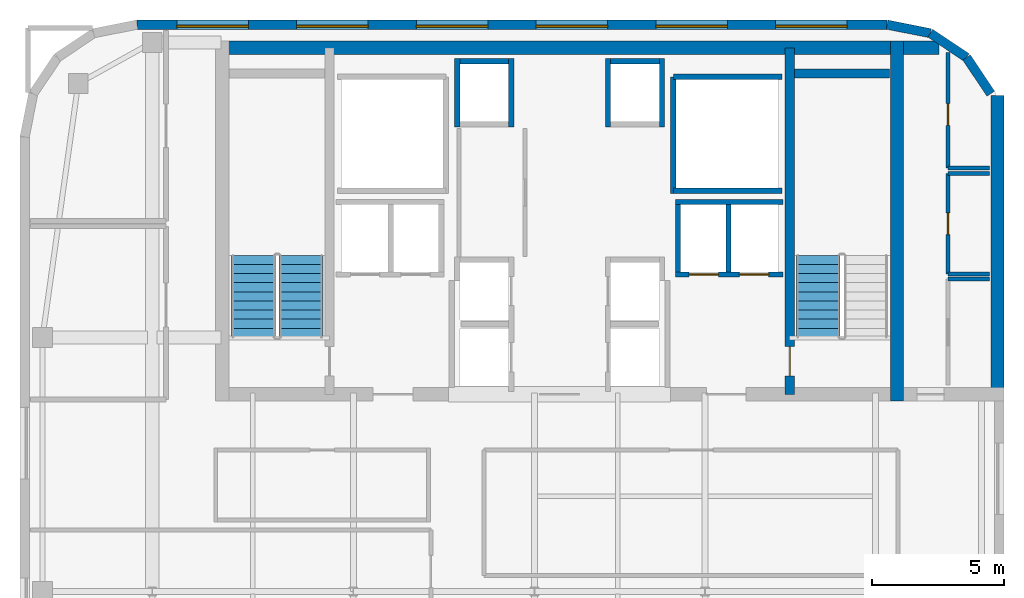
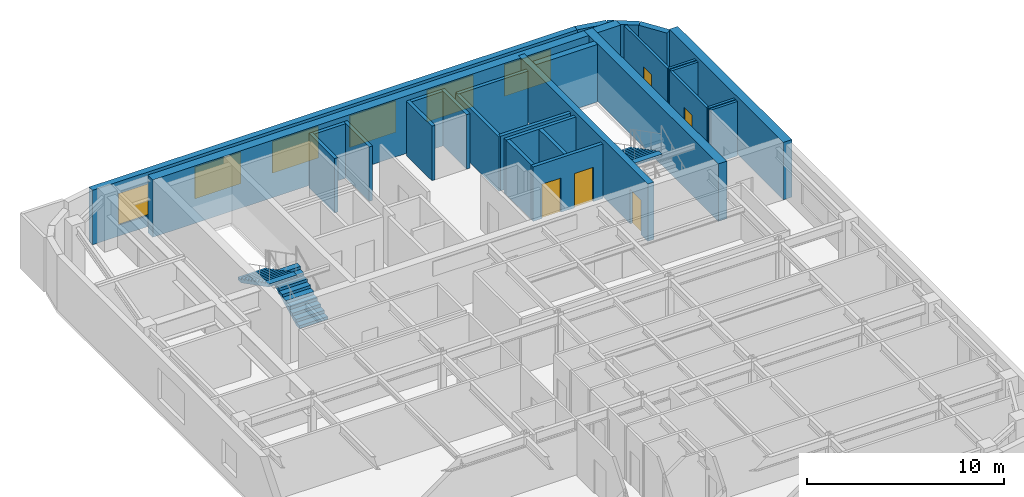
# One storey, part 7 of 9: 29 walls, 6 windows, 5 doors, 3 stair flights, 11 openings, 2 elements without a shape of their own.
"""IFC4 building model written with IfcOpenShell, lengths in metres."""

from ifc_helpers import new_model, si_unit, direction, frame, frame_2d, origin, place, context, subcontext, project, spatial, polyline, rectangle, outline, extrude, source, transform, mapped, material, layer, layer_set, type_object, type_shapes, element, fill, aggregate, save


model = new_model("IFC4")

# Units and contexts
model_context = context("Model", 3, precision=1e-05, world=origin(), true_north=direction((0.0, 1.0)))
body_context = subcontext(model_context, "Body", "Model", "MODEL_VIEW")
ifc_project = project(units=[si_unit("LENGTHUNIT", "METRE"), si_unit("AREAUNIT", "SQUARE_METRE"), si_unit("VOLUMEUNIT", "CUBIC_METRE"), si_unit("PLANEANGLEUNIT", "RADIAN"), si_unit("MASSUNIT", "GRAM", prefix="KILO")], contexts=[model_context])

# Site, building, storey
site_placement = place(None, origin())
site = spatial("IfcSite", under=ifc_project, at=site_placement, CompositionType="ELEMENT")
building_placement = place(site_placement, origin())
building = spatial("IfcBuilding", under=site, at=building_placement, Name="Tolvann Quenvar Hotel", CompositionType="ELEMENT")
storey_placement = place(building_placement, frame((0.0, 0.0, 209.699951171875)))
storey = spatial("IfcBuildingStorey", under=building, at=storey_placement, Name="L55", CompositionType="ELEMENT", Elevation=209.699951171875)

# Walls
ifc_material_1 = material(Name="Concrete N50 (50 MPa)", Category="concrete")
ifc_layer_1 = layer(ifc_material_1, 0.5)
ifc_layer_set_1 = layer_set([ifc_layer_1], Name="Concrete N50 (50 MPa)")
wall_type_1 = type_object("IfcWallType", Name="WALL_CORE_500", PredefinedType="SHEAR", material=ifc_layer_set_1)
wall_1_placement = place(storey_placement, frame((10.0, 44.949951171875, 0.0), z_axis=(0.0, 0.0, 1.0), x_axis=(1.0, 0.0, 0.0)))
element("IfcWall", 1, at=wall_1_placement, inside=storey, type_object=wall_type_1, Name="Rear Core N Shear Wall (L55)", PredefinedType="SHEAR", context=body_context, shape_type="SweptSolid", body=[
    extrude(rectangle(XDim=26.0, YDim=0.5, at=frame_2d((13.0, 0.0))), origin(), (0.0, 0.0, 1.0), 3.550048828125),
])
wall_2_placement = place(storey_placement, frame((35.75, 31.60009765625, 0.0), z_axis=(0.0, 0.0, 1.0), x_axis=(0.0, 1.0, 0.0)))
element("IfcWall", 2, at=wall_2_placement, inside=storey, type_object=wall_type_1, Name="Rear Core E Shear Wall (L55)", PredefinedType="SHEAR", context=body_context, shape_type="SweptSolid", body=[
    extrude(rectangle(XDim=13.599853515625, YDim=0.5, at=frame_2d((6.7998046875, 0.0))), origin(), (0.0, 0.0, 1.0), 3.550048828125),
])
wall_3_placement = place(storey_placement, frame((36.0, 44.949951171875, 0.0), z_axis=(0.0, 0.0, 1.0), x_axis=(1.0, 0.0, 0.0)))
element("IfcWall", 3, at=wall_3_placement, inside=storey, type_object=wall_type_1, Name="Core East Annex Shear Wall ANN-N (L55)", PredefinedType="SHEAR", context=body_context, shape_type="SweptSolid", body=[
    extrude(rectangle(XDim=1.35009765625, YDim=0.5, at=frame_2d((0.675048828125, 0.0))), origin(), (0.0, 0.0, 1.0), 3.550048828125),
])
wall_4_placement = place(storey_placement, frame((39.550048828125, 31.60009765625, 0.0), z_axis=(0.0, 0.0, 1.0), x_axis=(0.0, 1.0, 0.0)))
element("IfcWall", 4, at=wall_4_placement, inside=storey, type_object=wall_type_1, Name="Core East Annex Shear Wall ANN-E (L55)", PredefinedType="SHEAR", context=body_context, shape_type="SweptSolid", body=[
    extrude(rectangle(XDim=11.5498046875, YDim=0.5, at=frame_2d((5.77490234375, 0.0))), origin(), (0.0, 0.0, 1.0), 3.550048828125),
])

# Wall, opening, door
ifc_material_2 = material(Name="Concrete S65 (65 MPa)", Category="concrete")
ifc_layer_2 = layer(ifc_material_2, 0.35009765625)
ifc_layer_set_2 = layer_set([ifc_layer_2], Name="Concrete S65 (65 MPa)")
wall_type_2 = type_object("IfcWallType", Name="WALL_CORE_INT_350", PredefinedType="SHEAR", material=ifc_layer_set_2)
wall_5_placement = place(storey_placement, frame((31.699951171875, 31.85009765625, 0.0), z_axis=(0.0, 0.0, 1.0), x_axis=(0.0, 1.0, 0.0)))
wall_5 = element("IfcWall", 5, at=wall_5_placement, inside=storey, type_object=wall_type_2, Name="Core Internal Web Shear Wall WEB-E (L55)", PredefinedType="SHEAR", context=body_context, shape_type="SweptSolid", body=[
    extrude(rectangle(XDim=13.099853515625, YDim=0.35009765625, at=frame_2d((6.5498046875, 0.0))), origin(), (0.0, 0.0, 1.0), 3.550048828125),
])
opening_1_placement = place(wall_5_placement, frame((1.800048828125, 0.0, 0.0), z_axis=(0.0, 0.0, 1.0), x_axis=(-1.0, 0.0, 0.0)))
opening_1 = element("IfcOpeningElement", 6, at=opening_1_placement, cuts=wall_5, Name="Opening FD-120", PredefinedType="OPENING", context=body_context, shape_type="SweptSolid", body=[
    extrude(rectangle(XDim=1.10009765625, YDim=2.1201171875, at=frame_2d((0.550048828125, 1.06005859375))), frame((0.0, 0.18505859375, 0.0), z_axis=(0.0, -1.0, 0.0), x_axis=(1.0, 0.0, 0.0)), (0.0, 0.0, 1.0), 0.3701171875),
])
ifc_material_3 = material(Name="Pressed galvanised steel fire-rated door set", Category="steel")
door_type_1 = type_object("IfcDoorType", Name="DOOR_FIRE_STAIR_1100", OperationType="NOTDEFINED", PredefinedType="DOOR", material=ifc_material_3)
shared_shape_1 = source(origin(), body_context, "Body", "SweptSolid", [
    extrude(rectangle(XDim=1.10009765625, YDim=2.1201171875, at=frame_2d((0.550048828125, 1.06005859375))), frame((0.0, 0.02490234375, 0.0), z_axis=(0.0, -1.0, 0.0), x_axis=(1.0, 0.0, 0.0)), (0.0, 0.0, 1.0), 0.050048828125),
])
type_shapes(door_type_1, [shared_shape_1])
door_1_placement = place(opening_1_placement, origin())
door_1 = element("IfcDoor", 7, at=door_1_placement, inside=storey, type_object=door_type_1, Name="Exit Stair ST-C2 Fire Door (L55)", OperationType="SINGLE_SWING_LEFT", OverallHeight=2.1201171875, OverallWidth=1.10009765625, PredefinedType="DOOR", context=body_context, shape_type="MappedRepresentation", body=[
    mapped(shared_shape_1, transform((0.0, 0.0, 0.0), x_axis=(1.0, 0.0, 0.0), y_axis=(0.0, 1.0, 0.0), z_axis=(0.0, 0.0, 1.0), scale=1.0)),
])
fill(opening_1, door_1)

# Walls
wall_6_placement = place(storey_placement, frame((31.8798828125, 43.97509765625, 0.0), z_axis=(0.0, 0.0, 1.0), x_axis=(1.0, 0.0, 0.0)))
element("IfcWall", 8, at=wall_6_placement, inside=storey, type_object=wall_type_2, Name="Core Stair North Closing Shear Wall STC2-N (L55)", PredefinedType="SHEAR", context=body_context, shape_type="SweptSolid", body=[
    extrude(rectangle(XDim=3.60009765625, YDim=0.35009765625, at=frame_2d((1.800048828125, 0.0))), origin(), (0.0, 0.0, 1.0), 3.550048828125),
])
ifc_material_4 = material(Name="Kiln-fired red and buff architectural clay brickwork and terracotta masonry", Category="masonry")
ifc_layer_3 = layer(ifc_material_4, 0.35009765625)
ifc_layer_set_3 = layer_set([ifc_layer_3], Name="Kiln-fired red and buff architectural clay brickwork and terracotta masonry")
wall_type_3 = type_object("IfcWallType", Name="WALL_EXT_BRICK_350", PredefinedType="SOLIDWALL", material=ifc_layer_set_3)
for number, where, z_axis, x_axis, name in (
    (9, (39.30029296875, 43.215576171875, 0.0), (0.0, 0.0, 1.0), (-0.555623290322, 0.831434158098, 0.0), "Exterior Chicago Brick Wall L55-E11"),
    (10, (38.385009765625, 44.585205078125, 0.0), (0.0, 0.0, 1.0), (-0.831502623162, 0.555520825599, 0.0), "Exterior Chicago Brick Wall L55-E12"),
):
    element("IfcWall", number, at=place(storey_placement, frame(where, z_axis=z_axis, x_axis=x_axis)), inside=storey, type_object=wall_type_3, Name=name, PredefinedType="SOLIDWALL", context=body_context, shape_type="SweptSolid", body=[
        extrude(rectangle(XDim=1.647216796875, YDim=0.35009765625, at=frame_2d((0.82373046875, 0.0))), origin(), (0.0, 0.0, 1.0), 3.3701171875),
    ])
wall_7_placement = place(storey_placement, frame((37.015380859375, 45.500244140625, 0.0), z_axis=(0.0, 0.0, 1.0), x_axis=(-0.980788844421, 0.195072403631, 0.0)))
element("IfcWall", 11, at=wall_7_placement, inside=storey, type_object=wall_type_3, Name="Exterior Chicago Brick Wall L55-E13", PredefinedType="SOLIDWALL", context=body_context, shape_type="SweptSolid", body=[
    extrude(rectangle(XDim=1.66455078125, YDim=0.35009765625, at=frame_2d((0.832275390625, 0.0))), origin(), (0.0, 0.0, 1.0), 3.3701171875),
])

# Wall, openings, windows
wall_8_placement = place(storey_placement, frame((35.3828125, 45.824951171875, 0.0), z_axis=(0.0, 0.0, 1.0), x_axis=(-1.0, 0.0, 0.0)))
wall_8 = element("IfcWall", 12, at=wall_8_placement, inside=storey, type_object=wall_type_3, Name="Exterior Chicago Brick Wall L55-E14", PredefinedType="SOLIDWALL", context=body_context, shape_type="SweptSolid", body=[
    extrude(rectangle(XDim=28.36572265625, YDim=0.35009765625, at=frame_2d((14.182861328125, 0.0))), origin(), (0.0, 0.0, 1.0), 3.3701171875),
])
opening_2_placement = place(wall_8_placement, frame((1.513916015625, 0.0, 0.679931640625)))
opening_2 = element("IfcOpeningElement", 13, at=opening_2_placement, cuts=wall_8, Name="Opening W-04", PredefinedType="OPENING", context=body_context, shape_type="SweptSolid", body=[
    extrude(rectangle(XDim=2.699951171875, YDim=1.949951171875, at=frame_2d((1.35009765625, 0.97509765625))), frame((0.0, 0.18505859375, 0.0), z_axis=(0.0, -1.0, 0.0), x_axis=(1.0, 0.0, 0.0)), (0.0, 0.0, 1.0), 0.3701171875),
])
opening_3_placement = place(wall_8_placement, frame((6.041015625, 0.0, 0.679931640625)))
opening_3 = element("IfcOpeningElement", 14, at=opening_3_placement, cuts=wall_8, Name="Opening W-04", PredefinedType="OPENING", context=body_context, shape_type="SweptSolid", body=[
    extrude(rectangle(XDim=2.699951171875, YDim=1.949951171875, at=frame_2d((1.35009765625, 0.97509765625))), frame((0.0, 0.18505859375, 0.0), z_axis=(0.0, -1.0, 0.0), x_axis=(1.0, 0.0, 0.0)), (0.0, 0.0, 1.0), 0.3701171875),
])
opening_4_placement = place(wall_8_placement, frame((10.569091796875, 0.0, 0.679931640625)))
opening_4 = element("IfcOpeningElement", 15, at=opening_4_placement, cuts=wall_8, Name="Opening W-04", PredefinedType="OPENING", context=body_context, shape_type="SweptSolid", body=[
    extrude(rectangle(XDim=2.699951171875, YDim=1.949951171875, at=frame_2d((1.35009765625, 0.97509765625))), frame((0.0, 0.18505859375, 0.0), z_axis=(0.0, -1.0, 0.0), x_axis=(1.0, 0.0, 0.0)), (0.0, 0.0, 1.0), 0.3701171875),
])
opening_5_placement = place(wall_8_placement, frame((15.096923828125, 0.0, 0.679931640625)))
opening_5 = element("IfcOpeningElement", 16, at=opening_5_placement, cuts=wall_8, Name="Opening W-04", PredefinedType="OPENING", context=body_context, shape_type="SweptSolid", body=[
    extrude(rectangle(XDim=2.699951171875, YDim=1.949951171875, at=frame_2d((1.35009765625, 0.97509765625))), frame((0.0, 0.18505859375, 0.0), z_axis=(0.0, -1.0, 0.0), x_axis=(1.0, 0.0, 0.0)), (0.0, 0.0, 1.0), 0.3701171875),
])
opening_6_placement = place(wall_8_placement, frame((19.6240234375, 0.0, 0.679931640625)))
opening_6 = element("IfcOpeningElement", 17, at=opening_6_placement, cuts=wall_8, Name="Opening W-04", PredefinedType="OPENING", context=body_context, shape_type="SweptSolid", body=[
    extrude(rectangle(XDim=2.699951171875, YDim=1.949951171875, at=frame_2d((1.35009765625, 0.97509765625))), frame((0.0, 0.18505859375, 0.0), z_axis=(0.0, -1.0, 0.0), x_axis=(1.0, 0.0, 0.0)), (0.0, 0.0, 1.0), 0.3701171875),
])
opening_7_placement = place(wall_8_placement, frame((24.152099609375, 0.0, 0.679931640625)))
opening_7 = element("IfcOpeningElement", 18, at=opening_7_placement, cuts=wall_8, Name="Opening W-04", PredefinedType="OPENING", context=body_context, shape_type="SweptSolid", body=[
    extrude(rectangle(XDim=2.699951171875, YDim=1.949951171875, at=frame_2d((1.35009765625, 0.97509765625))), frame((0.0, 0.18505859375, 0.0), z_axis=(0.0, -1.0, 0.0), x_axis=(1.0, 0.0, 0.0)), (0.0, 0.0, 1.0), 0.3701171875),
])
ifc_material_5 = material(Name="Thermally broken bronze-anodised aluminium frame with double low-E glazing", Category="aluminium")
window_type = type_object("IfcWindowType", Name="WIN_STE_2700x2150", PartitioningType="TRIPLE_PANEL_HORIZONTAL", PredefinedType="WINDOW", material=ifc_material_5)
shared_shape_2 = source(origin(), body_context, "Body", "SweptSolid", [
    extrude(rectangle(XDim=2.699951171875, YDim=1.949951171875, at=frame_2d((1.35009765625, 0.97509765625))), frame((0.0, 0.090087890625, 0.0), z_axis=(0.0, -1.0, 0.0), x_axis=(1.0, 0.0, 0.0)), (0.0, 0.0, 1.0), 0.06005859375),
])
type_shapes(window_type, [shared_shape_2])
window_1_placement = place(opening_2_placement, origin())
window_1 = element("IfcWindow", 19, at=window_1_placement, inside=storey, type_object=window_type, Name="Chicago Window W-04 (EW-L55-E14-W01)", OverallHeight=1.949951171875, OverallWidth=2.699951171875, PartitioningType="TRIPLE_PANEL_HORIZONTAL", PredefinedType="WINDOW", context=body_context, shape_type="MappedRepresentation", body=[
    mapped(shared_shape_2, transform((0.0, 0.0, 0.0), x_axis=(1.0, 0.0, 0.0), y_axis=(0.0, 1.0, 0.0), z_axis=(0.0, 0.0, 1.0), scale=1.0)),
])
fill(opening_2, window_1)
window_2_placement = place(opening_3_placement, origin())
window_2 = element("IfcWindow", 20, at=window_2_placement, inside=storey, type_object=window_type, Name="Chicago Window W-04 (EW-L55-E14-W02)", OverallHeight=1.949951171875, OverallWidth=2.699951171875, PartitioningType="TRIPLE_PANEL_HORIZONTAL", PredefinedType="WINDOW", context=body_context, shape_type="MappedRepresentation", body=[
    mapped(shared_shape_2, transform((0.0, 0.0, 0.0), x_axis=(1.0, 0.0, 0.0), y_axis=(0.0, 1.0, 0.0), z_axis=(0.0, 0.0, 1.0), scale=1.0)),
])
fill(opening_3, window_2)
window_3_placement = place(opening_4_placement, origin())
window_3 = element("IfcWindow", 21, at=window_3_placement, inside=storey, type_object=window_type, Name="Chicago Window W-04 (EW-L55-E14-W03)", OverallHeight=1.949951171875, OverallWidth=2.699951171875, PartitioningType="TRIPLE_PANEL_HORIZONTAL", PredefinedType="WINDOW", context=body_context, shape_type="MappedRepresentation", body=[
    mapped(shared_shape_2, transform((0.0, 0.0, 0.0), x_axis=(1.0, 0.0, 0.0), y_axis=(0.0, 1.0, 0.0), z_axis=(0.0, 0.0, 1.0), scale=1.0)),
])
fill(opening_4, window_3)
window_4_placement = place(opening_5_placement, origin())
window_4 = element("IfcWindow", 22, at=window_4_placement, inside=storey, type_object=window_type, Name="Chicago Window W-04 (EW-L55-E14-W04)", OverallHeight=1.949951171875, OverallWidth=2.699951171875, PartitioningType="TRIPLE_PANEL_HORIZONTAL", PredefinedType="WINDOW", context=body_context, shape_type="MappedRepresentation", body=[
    mapped(shared_shape_2, transform((0.0, 0.0, 0.0), x_axis=(1.0, 0.0, 0.0), y_axis=(0.0, 1.0, 0.0), z_axis=(0.0, 0.0, 1.0), scale=1.0)),
])
fill(opening_5, window_4)
window_5_placement = place(opening_6_placement, origin())
window_5 = element("IfcWindow", 23, at=window_5_placement, inside=storey, type_object=window_type, Name="Chicago Window W-04 (EW-L55-E14-W05)", OverallHeight=1.949951171875, OverallWidth=2.699951171875, PartitioningType="TRIPLE_PANEL_HORIZONTAL", PredefinedType="WINDOW", context=body_context, shape_type="MappedRepresentation", body=[
    mapped(shared_shape_2, transform((0.0, 0.0, 0.0), x_axis=(1.0, 0.0, 0.0), y_axis=(0.0, 1.0, 0.0), z_axis=(0.0, 0.0, 1.0), scale=1.0)),
])
fill(opening_6, window_5)
window_6_placement = place(opening_7_placement, origin())
window_6 = element("IfcWindow", 24, at=window_6_placement, inside=storey, type_object=window_type, Name="Chicago Window W-04 (EW-L55-E14-W06)", OverallHeight=1.949951171875, OverallWidth=2.699951171875, PartitioningType="TRIPLE_PANEL_HORIZONTAL", PredefinedType="WINDOW", context=body_context, shape_type="MappedRepresentation", body=[
    mapped(shared_shape_2, transform((0.0, 0.0, 0.0), x_axis=(1.0, 0.0, 0.0), y_axis=(0.0, 1.0, 0.0), z_axis=(0.0, 0.0, 1.0), scale=1.0)),
])
fill(opening_7, window_6)

# Walls
ifc_material_6 = material(Name="Acoustic twin-stud fire-rated gypsum plasterboard partition")
ifc_layer_4 = layer(ifc_material_6, 0.14990234375)
ifc_layer_set_4 = layer_set([ifc_layer_4], Name="Acoustic twin-stud fire-rated gypsum plasterboard partition")
wall_type_4 = type_object("IfcWallType", Name="WALL_PART_SUITE_150", PredefinedType="PARTITIONING", material=ifc_layer_set_4)
for number, where, z_axis, x_axis, name in (
    (25, (37.679931640625, 36.199951171875, 0.0), (0.0, 0.0, 1.0), (1.0, 0.0, 0.0), "Interior Partition PT-SPC-L55-RECPL-1-N"),
    (26, (37.679931640625, 36.39990234375, 0.0), (0.0, 0.0, 1.0), (1.0, 0.0, 0.0), "Interior Partition PT-SPC-L55-CSE-1-S"),
    (27, (37.679931640625, 40.199951171875, 0.0), (0.0, 0.0, 1.0), (1.0, 0.0, 0.0), "Interior Partition PT-SPC-L55-CSE-1-N"),
):
    element("IfcWall", number, at=place(storey_placement, frame(where, z_axis=z_axis, x_axis=x_axis)), inside=storey, type_object=wall_type_4, Name=name, PredefinedType="PARTITIONING", context=body_context, shape_type="SweptSolid", body=[
        extrude(rectangle(XDim=1.565185546875, YDim=0.14990234375, at=frame_2d((0.78271484375, 0.0))), origin(), (0.0, 0.0, 1.0), 3.3701171875),
    ])

# Wall, opening, door
wall_9_placement = place(storey_placement, frame((37.679931640625, 36.39990234375, 0.0), z_axis=(0.0, 0.0, 1.0), x_axis=(0.0, 1.0, 0.0)))
wall_9 = element("IfcWall", 28, at=wall_9_placement, inside=storey, type_object=wall_type_4, Name="Interior Partition PT-SPC-L55-CSE-1-W", PredefinedType="PARTITIONING", context=body_context, shape_type="SweptSolid", body=[
    extrude(rectangle(XDim=3.800048828125, YDim=0.14990234375, at=frame_2d((1.89990234375, 0.0))), origin(), (0.0, 0.0, 1.0), 3.3701171875),
])
opening_8_placement = place(wall_9_placement, frame((1.489990234375, 0.0, 0.0)))
opening_8 = element("IfcOpeningElement", 29, at=opening_8_placement, cuts=wall_9, Name="Opening HD-02", PredefinedType="OPENING", context=body_context, shape_type="SweptSolid", body=[
    extrude(rectangle(XDim=0.820068359375, YDim=2.010009765625, at=frame_2d((0.41015625, 1.0048828125))), frame((0.0, 0.0849609375, 0.0), z_axis=(0.0, -1.0, 0.0), x_axis=(1.0, 0.0, 0.0)), (0.0, 0.0, 1.0), 0.169921875),
])
door_type_2 = type_object("IfcDoorType", Name="DOOR_STORE_820", OperationType="NOTDEFINED", PredefinedType="DOOR", material=ifc_material_3)
shared_shape_3 = source(origin(), body_context, "Body", "SweptSolid", [
    extrude(rectangle(XDim=0.820068359375, YDim=2.010009765625, at=frame_2d((0.41015625, 1.0048828125))), frame((0.0, 0.02490234375, 0.0), z_axis=(0.0, -1.0, 0.0), x_axis=(1.0, 0.0, 0.0)), (0.0, 0.0, 1.0), 0.050048828125),
])
type_shapes(door_type_2, [shared_shape_3])
door_2_placement = place(opening_8_placement, origin())
door_2 = element("IfcDoor", 30, at=door_2_placement, inside=storey, type_object=door_type_2, Name="Interior Door DOOR-SPC-L55-CSE-1", OperationType="SINGLE_SWING_RIGHT", OverallHeight=2.010009765625, OverallWidth=0.820068359375, PredefinedType="DOOR", context=body_context, shape_type="MappedRepresentation", body=[
    mapped(shared_shape_3, transform((0.0, 0.0, 0.0), x_axis=(1.0, 0.0, 0.0), y_axis=(0.0, 1.0, 0.0), z_axis=(0.0, 0.0, 1.0), scale=1.0)),
])
fill(opening_8, door_2)

# Wall
wall_10_placement = place(storey_placement, frame((37.679931640625, 40.39990234375, 0.0), z_axis=(0.0, 0.0, 1.0), x_axis=(1.0, 0.0, 0.0)))
element("IfcWall", 31, at=wall_10_placement, inside=storey, type_object=wall_type_4, Name="Interior Partition PT-SPC-L55-CSE-2-S", PredefinedType="PARTITIONING", context=body_context, shape_type="SweptSolid", body=[
    extrude(rectangle(XDim=1.565185546875, YDim=0.14990234375, at=frame_2d((0.78271484375, 0.0))), origin(), (0.0, 0.0, 1.0), 3.3701171875),
])

# Wall, opening, door
wall_11_placement = place(storey_placement, frame((37.679931640625, 40.39990234375, 0.0), z_axis=(0.0, 0.0, 1.0), x_axis=(0.0, 1.0, 0.0)))
wall_11 = element("IfcWall", 32, at=wall_11_placement, inside=storey, type_object=wall_type_4, Name="Interior Partition PT-SPC-L55-CSE-2-W", PredefinedType="PARTITIONING", context=body_context, shape_type="SweptSolid", body=[
    extrude(rectangle(XDim=4.380126953125, YDim=0.14990234375, at=frame_2d((2.18994140625, 0.0))), origin(), (0.0, 0.0, 1.0), 3.3701171875),
])
opening_9_placement = place(wall_11_placement, frame((1.614990234375, 0.0, 0.0)))
opening_9 = element("IfcOpeningElement", 33, at=opening_9_placement, cuts=wall_11, Name="Opening HD-02", PredefinedType="OPENING", context=body_context, shape_type="SweptSolid", body=[
    extrude(rectangle(XDim=0.820068359375, YDim=2.010009765625, at=frame_2d((0.41015625, 1.0048828125))), frame((0.0, 0.0849609375, 0.0), z_axis=(0.0, -1.0, 0.0), x_axis=(1.0, 0.0, 0.0)), (0.0, 0.0, 1.0), 0.169921875),
])
door_3_placement = place(opening_9_placement, origin())
door_3 = element("IfcDoor", 34, at=door_3_placement, inside=storey, type_object=door_type_2, Name="Interior Door DOOR-SPC-L55-CSE-2", OperationType="SINGLE_SWING_LEFT", OverallHeight=2.010009765625, OverallWidth=0.820068359375, PredefinedType="DOOR", context=body_context, shape_type="MappedRepresentation", body=[
    mapped(shared_shape_3, transform((0.0, 0.0, 0.0), x_axis=(1.0, 0.0, 0.0), y_axis=(0.0, 1.0, 0.0), z_axis=(0.0, 0.0, 1.0), scale=1.0)),
])
fill(opening_9, door_3)

# Walls
ifc_material_7 = material(Name="Concrete N40 (40 MPa)", Category="concrete")
ifc_layer_5 = layer(ifc_material_7, 0.199951171875)
ifc_layer_set_5 = layer_set([ifc_layer_5], Name="Concrete N40 (40 MPa)")
wall_type_5 = type_object("IfcWallType", Name="WALL_SHAFT_200", PredefinedType="SOLIDWALL", material=ifc_layer_set_5)
wall_12_placement = place(storey_placement, frame((27.300048828125, 39.449951171875, 0.0), z_axis=(0.0, 0.0, 1.0), x_axis=(0.0, 1.0, 0.0)))
element("IfcWall", 35, at=wall_12_placement, inside=storey, type_object=wall_type_5, Name="Service Riser E Shaft Wall IN (L55)", PredefinedType="SOLIDWALL", context=body_context, shape_type="SweptSolid", body=[
    extrude(rectangle(XDim=4.400146484375, YDim=0.199951171875, at=frame_2d((2.2001953125, 0.0))), origin(), (0.0, 0.0, 1.0), 3.3701171875),
])
for number, where, z_axis, x_axis, name in (
    (36, (27.300048828125, 39.550048828125, 0.0), (0.0, 0.0, 1.0), (1.0, 0.0, 0.0), "Service Riser E Shaft Wall S (L55)"),
    (37, (27.300048828125, 43.85009765625, 0.0), (0.0, 0.0, 1.0), (1.0, 0.0, 0.0), "Service Riser E Shaft Wall N (L55)"),
):
    element("IfcWall", number, at=place(storey_placement, frame(where, z_axis=z_axis, x_axis=x_axis)), inside=storey, type_object=wall_type_5, Name=name, PredefinedType="SOLIDWALL", context=body_context, shape_type="SweptSolid", body=[
        extrude(rectangle(XDim=4.099853515625, YDim=0.199951171875, at=frame_2d((2.0498046875, 0.0))), origin(), (0.0, 0.0, 1.0), 3.3701171875),
    ])
for number, where, z_axis, x_axis, name in (
    (38, (21.169921875, 41.9599609375, 0.0), (0.0, 0.0, 1.0), (0.0, 1.0, 0.0), "Lift Bank E21.1C2 Hoistway Front Wall (L55)"),
    (39, (19.1298828125, 41.9599609375, 0.0), (0.0, 0.0, 1.0), (0.0, 1.0, 0.0), "Lift Bank E21.1C2 Hoistway Rear Wall (L55)"),
):
    element("IfcWall", number, at=place(storey_placement, frame(where, z_axis=z_axis, x_axis=x_axis)), inside=storey, type_object=wall_type_5, Name=name, PredefinedType="SOLIDWALL", context=body_context, shape_type="SweptSolid", body=[
        extrude(rectangle(XDim=2.580078125, YDim=0.199951171875, at=frame_2d((1.2900390625, 0.0))), origin(), (0.0, 0.0, 1.0), 3.3701171875),
    ])
wall_13_placement = place(storey_placement, frame((19.22998046875, 44.43994140625, 0.0), z_axis=(0.0, 0.0, 1.0), x_axis=(1.0, 0.0, 0.0)))
element("IfcWall", 40, at=wall_13_placement, inside=storey, type_object=wall_type_5, Name="Lift Bank E21.1C2 Hoistway Cheek Wall 2 (L55)", PredefinedType="SOLIDWALL", context=body_context, shape_type="SweptSolid", body=[
    extrude(rectangle(XDim=1.840087890625, YDim=0.199951171875, at=frame_2d((0.919921875, 0.0))), origin(), (0.0, 0.0, 1.0), 3.3701171875),
])

# Wall, openings, doors
wall_14_placement = place(storey_placement, frame((27.375, 36.3798828125, 0.0), z_axis=(0.0, 0.0, 1.0), x_axis=(1.0, 0.0, 0.0)))
wall_14 = element("IfcWall", 41, at=wall_14_placement, inside=storey, type_object=wall_type_5, Name="Lift Bank SEC1 Hoistway Front Wall (L55)", PredefinedType="SOLIDWALL", context=body_context, shape_type="SweptSolid", body=[
    extrude(rectangle(XDim=4.074951171875, YDim=0.199951171875, at=frame_2d((2.03759765625, 0.0))), origin(), (0.0, 0.0, 1.0), 3.3701171875),
])
opening_10_placement = place(wall_14_placement, frame((0.52490234375, 0.0, 0.0)))
opening_10 = element("IfcOpeningElement", 42, at=opening_10_placement, cuts=wall_14, Name="Opening LD-01", PredefinedType="OPENING", context=body_context, shape_type="SweptSolid", body=[
    extrude(rectangle(XDim=1.10009765625, YDim=2.1201171875, at=frame_2d((0.550048828125, 1.06005859375))), frame((0.0, 0.10986328125, 0.0), z_axis=(0.0, -1.0, 0.0), x_axis=(1.0, 0.0, 0.0)), (0.0, 0.0, 1.0), 0.219970703125),
])
opening_11_placement = place(wall_14_placement, frame((2.425048828125, 0.0, 0.0)))
opening_11 = element("IfcOpeningElement", 43, at=opening_11_placement, cuts=wall_14, Name="Opening LD-01", PredefinedType="OPENING", context=body_context, shape_type="SweptSolid", body=[
    extrude(rectangle(XDim=1.10009765625, YDim=2.1201171875, at=frame_2d((0.550048828125, 1.06005859375))), frame((0.0, 0.10986328125, 0.0), z_axis=(0.0, -1.0, 0.0), x_axis=(1.0, 0.0, 0.0)), (0.0, 0.0, 1.0), 0.219970703125),
])
ifc_material_8 = material(Name="Brushed 316 stainless steel automatic sliding lift landing door", Category="steel")
door_type_3 = type_object("IfcDoorType", Name="DOOR_LIFT_SLIDE_1100", OperationType="NOTDEFINED", PredefinedType="DOOR", material=ifc_material_8)
shared_shape_4 = source(origin(), body_context, "Body", "SweptSolid", [
    extrude(rectangle(XDim=1.10009765625, YDim=2.1201171875, at=frame_2d((0.550048828125, 1.06005859375))), frame((0.0, 0.02490234375, 0.0), z_axis=(0.0, -1.0, 0.0), x_axis=(1.0, 0.0, 0.0)), (0.0, 0.0, 1.0), 0.050048828125),
])
type_shapes(door_type_3, [shared_shape_4])
door_4_placement = place(opening_10_placement, origin())
door_4 = element("IfcDoor", 44, at=door_4_placement, inside=storey, type_object=door_type_3, Name="Lift SV-2 Sliding Landing Door (L55)", OperationType="SLIDING_TO_LEFT", OverallHeight=2.1201171875, OverallWidth=1.10009765625, PredefinedType="DOOR", context=body_context, shape_type="MappedRepresentation", body=[
    mapped(shared_shape_4, transform((0.0, 0.0, 0.0), x_axis=(1.0, 0.0, 0.0), y_axis=(0.0, 1.0, 0.0), z_axis=(0.0, 0.0, 1.0), scale=1.0)),
])
fill(opening_10, door_4)
door_5_placement = place(opening_11_placement, origin())
door_5 = element("IfcDoor", 45, at=door_5_placement, inside=storey, type_object=door_type_3, Name="Lift FF-2 Sliding Landing Door (L55)", OperationType="SLIDING_TO_RIGHT", OverallHeight=2.1201171875, OverallWidth=1.10009765625, PredefinedType="DOOR", context=body_context, shape_type="MappedRepresentation", body=[
    mapped(shared_shape_4, transform((0.0, 0.0, 0.0), x_axis=(1.0, 0.0, 0.0), y_axis=(0.0, 1.0, 0.0), z_axis=(0.0, 0.0, 1.0), scale=1.0)),
])
fill(opening_11, door_5)

# Walls
wall_15_placement = place(storey_placement, frame((27.375, 39.1201171875, 0.0), z_axis=(0.0, 0.0, 1.0), x_axis=(1.0, 0.0, 0.0)))
element("IfcWall", 46, at=wall_15_placement, inside=storey, type_object=wall_type_5, Name="Lift Bank SEC1 Hoistway Rear Wall (L55)", PredefinedType="SOLIDWALL", context=body_context, shape_type="SweptSolid", body=[
    extrude(rectangle(XDim=4.074951171875, YDim=0.199951171875, at=frame_2d((2.03759765625, 0.0))), origin(), (0.0, 0.0, 1.0), 3.3701171875),
])
for number, where, z_axis, x_axis, name in (
    (47, (27.47509765625, 36.47998046875, 0.0), (0.0, 0.0, 1.0), (0.0, 1.0, 0.0), "Lift Bank SEC1 Hoistway Cheek Wall 1 (L55)"),
    (48, (29.387451171875, 36.47998046875, 0.0), (0.0, 0.0, 1.0), (0.0, 1.0, 0.0), "Lift Bank SEC1 Divider Wall 1 (L55)"),
):
    element("IfcWall", number, at=place(storey_placement, frame(where, z_axis=z_axis, x_axis=x_axis)), inside=storey, type_object=wall_type_5, Name=name, PredefinedType="SOLIDWALL", context=body_context, shape_type="SweptSolid", body=[
        extrude(rectangle(XDim=2.5400390625, YDim=0.199951171875, at=frame_2d((1.27001953125, 0.0))), origin(), (0.0, 0.0, 1.0), 3.3701171875),
    ])
for number, where, z_axis, x_axis, name in (
    (49, (24.830078125, 41.9599609375, 0.0), (0.0, 0.0, 1.0), (0.0, 1.0, 0.0), "Lift Bank W24.9C2 Hoistway Front Wall (L55)"),
    (50, (26.8701171875, 41.9599609375, 0.0), (0.0, 0.0, 1.0), (0.0, 1.0, 0.0), "Lift Bank W24.9C2 Hoistway Rear Wall (L55)"),
):
    element("IfcWall", number, at=place(storey_placement, frame(where, z_axis=z_axis, x_axis=x_axis)), inside=storey, type_object=wall_type_5, Name=name, PredefinedType="SOLIDWALL", context=body_context, shape_type="SweptSolid", body=[
        extrude(rectangle(XDim=2.580078125, YDim=0.199951171875, at=frame_2d((1.2900390625, 0.0))), origin(), (0.0, 0.0, 1.0), 3.3701171875),
    ])
wall_16_placement = place(storey_placement, frame((24.929931640625, 44.43994140625, 0.0), z_axis=(0.0, 0.0, 1.0), x_axis=(1.0, 0.0, 0.0)))
element("IfcWall", 51, at=wall_16_placement, inside=storey, type_object=wall_type_5, Name="Lift Bank W24.9C2 Hoistway Cheek Wall 2 (L55)", PredefinedType="SOLIDWALL", context=body_context, shape_type="SweptSolid", body=[
    extrude(rectangle(XDim=1.840087890625, YDim=0.199951171875, at=frame_2d((0.919921875, 0.0))), origin(), (0.0, 0.0, 1.0), 3.3701171875),
])

# Stair, stair flights
stair_type = type_object("IfcStairType", Name="STAIR", PredefinedType="HALF_TURN_STAIR", material=ifc_material_7)
stair_1_placement = place(storey_placement, origin())
stair_1 = element("IfcStair", 52, at=stair_1_placement, inside=storey, type_object=stair_type, Name="L55 ST-C1", PredefinedType="HALF_TURN_STAIR")
stair_flight_type = type_object("IfcStairFlightType", Name="STAIR_FLIGHT", PredefinedType="STRAIGHT", material=ifc_material_7)
stair_flight_1_placement = place(storey_placement, frame((13.22509765625, 34.0, 0.0), z_axis=(0.0, 0.0, 1.0), x_axis=(0.0, 1.0, 0.0)))
stair_flight_1 = element("IfcStairFlight", 53, at=stair_flight_1_placement, type_object=stair_flight_type, Name="ST-C1 flight 1", NumberOfRisers=10, NumberOfTreads=9, PredefinedType="STRAIGHT", RiserHeight=0.1775, TreadLength=0.345, context=body_context, shape_type="SweptSolid", body=[
    extrude(outline(polyline([(0.0, 0.0), (0.0, 0.177490234375), (0.344970703125, 0.177490234375), (0.344970703125, 0.35498046875), (0.68994140625, 0.35498046875), (0.68994140625, 0.532470703125), (1.034912109375, 0.532470703125), (1.034912109375, 0.7099609375), (1.3798828125, 0.7099609375), (1.3798828125, 0.887451171875), (1.72509765625, 0.887451171875), (1.72509765625, 1.06494140625), (2.070068359375, 1.06494140625), (2.070068359375, 1.242431640625), (2.4150390625, 1.242431640625), (2.4150390625, 1.419921875), (2.760009765625, 1.419921875), (2.760009765625, 1.597412109375), (3.10498046875, 1.597412109375), (3.10498046875, 1.77490234375), (3.10498046875, 1.428955078125), (0.32763671875, 0.0), (0.0, 0.0)])), frame((0.0, 0.824951171875, 0.0), z_axis=(0.0, -1.0, 0.0), x_axis=(1.0, 0.0, 0.0)), (0.0, 0.0, 1.0), 1.64990234375),
])
stair_flight_2_placement = place(storey_placement, frame((11.425048828125, 37.10498046875, 1.775146484375), z_axis=(0.0, 0.0, 1.0), x_axis=(0.0, -1.0, 0.0)))
stair_flight_2 = element("IfcStairFlight", 54, at=stair_flight_2_placement, type_object=stair_flight_type, Name="ST-C1 flight 2", NumberOfRisers=10, NumberOfTreads=9, PredefinedType="STRAIGHT", RiserHeight=0.1775, TreadLength=0.345, context=body_context, shape_type="SweptSolid", body=[
    extrude(outline(polyline([(0.0, 0.0), (0.0, 0.177490234375), (0.344970703125, 0.177490234375), (0.344970703125, 0.35498046875), (0.68994140625, 0.35498046875), (0.68994140625, 0.532470703125), (1.034912109375, 0.532470703125), (1.034912109375, 0.7099609375), (1.3798828125, 0.7099609375), (1.3798828125, 0.887451171875), (1.72509765625, 0.887451171875), (1.72509765625, 1.06494140625), (2.070068359375, 1.06494140625), (2.070068359375, 1.242431640625), (2.4150390625, 1.242431640625), (2.4150390625, 1.419921875), (2.760009765625, 1.419921875), (2.760009765625, 1.597412109375), (3.10498046875, 1.597412109375), (3.10498046875, 1.77490234375), (3.10498046875, 1.428955078125), (0.32763671875, 0.0), (0.0, 0.0)])), frame((0.0, 0.824951171875, 0.0), z_axis=(0.0, -1.0, 0.0), x_axis=(1.0, 0.0, 0.0)), (0.0, 0.0, 1.0), 1.64990234375),
])
aggregate(stair_1, [stair_flight_1, stair_flight_2])

# Stair, stair flight
stair_2_placement = place(storey_placement, origin())
stair_2 = element("IfcStair", 55, at=stair_2_placement, inside=storey, type_object=stair_type, Name="L55 ST-C2", PredefinedType="HALF_TURN_STAIR")
stair_flight_3_placement = place(storey_placement, frame((32.77490234375, 37.10498046875, 1.775146484375), z_axis=(0.0, 0.0, 1.0), x_axis=(0.0, -1.0, 0.0)))
stair_flight_3 = element("IfcStairFlight", 56, at=stair_flight_3_placement, type_object=stair_flight_type, Name="ST-C2 flight 2", NumberOfRisers=10, NumberOfTreads=9, PredefinedType="STRAIGHT", RiserHeight=0.1775, TreadLength=0.345, context=body_context, shape_type="SweptSolid", body=[
    extrude(outline(polyline([(0.0, 0.0), (0.0, 0.177490234375), (0.344970703125, 0.177490234375), (0.344970703125, 0.35498046875), (0.68994140625, 0.35498046875), (0.68994140625, 0.532470703125), (1.034912109375, 0.532470703125), (1.034912109375, 0.7099609375), (1.3798828125, 0.7099609375), (1.3798828125, 0.887451171875), (1.72509765625, 0.887451171875), (1.72509765625, 1.06494140625), (2.070068359375, 1.06494140625), (2.070068359375, 1.242431640625), (2.4150390625, 1.242431640625), (2.4150390625, 1.419921875), (2.760009765625, 1.419921875), (2.760009765625, 1.597412109375), (3.10498046875, 1.597412109375), (3.10498046875, 1.77490234375), (3.10498046875, 1.428955078125), (0.32763671875, 0.0), (0.0, 0.0)])), frame((0.0, 0.824951171875, 0.0), z_axis=(0.0, -1.0, 0.0), x_axis=(1.0, 0.0, 0.0)), (0.0, 0.0, 1.0), 1.64990234375),
])
aggregate(stair_2, [stair_flight_3])

save(model, "model.ifc")
